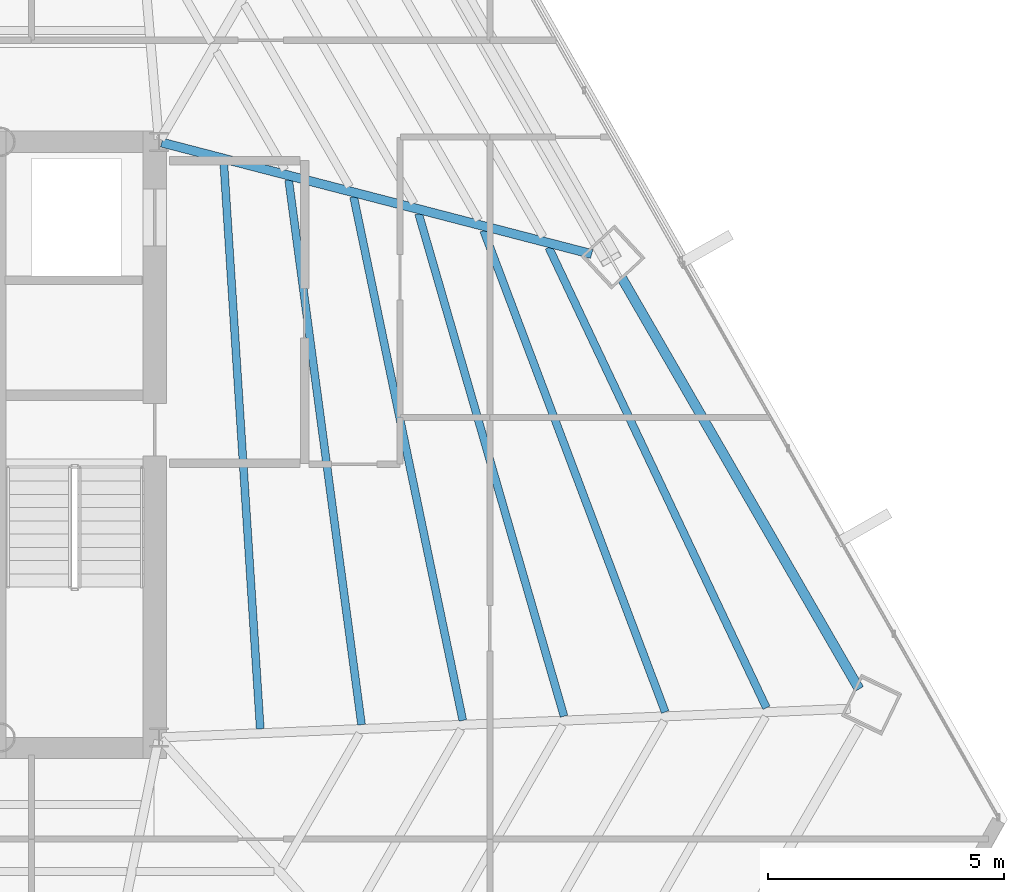
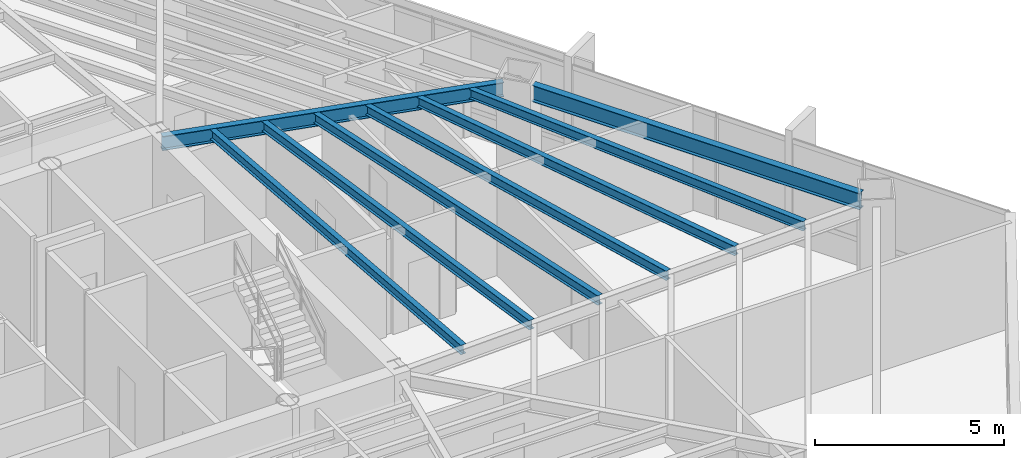
# One storey, part 22 of 38: 8 beams.
"""IFC4 building model written with IfcOpenShell, lengths in metres."""

from ifc_helpers import new_model, si_unit, direction, frame, origin, origin_2d, place, context, subcontext, project, spatial, i_section, extrude, source, transform, mapped, material, material_profile, profile_set, type_object, type_shapes, element, save


model = new_model("IFC4")

# Units and contexts
model_context = context("Model", 3, precision=1e-05, world=origin(), true_north=direction((0.0, 1.0)))
body_context = subcontext(model_context, "Body", "Model", "MODEL_VIEW")
ifc_project = project(units=[si_unit("LENGTHUNIT", "METRE"), si_unit("AREAUNIT", "SQUARE_METRE"), si_unit("VOLUMEUNIT", "CUBIC_METRE"), si_unit("PLANEANGLEUNIT", "RADIAN"), si_unit("MASSUNIT", "GRAM", prefix="KILO")], contexts=[model_context])

# Site, building, storey
site_placement = place(None, origin())
site = spatial("IfcSite", under=ifc_project, at=site_placement, CompositionType="ELEMENT")
building_placement = place(site_placement, origin())
building = spatial("IfcBuilding", under=site, at=building_placement, Name="Caelisora Broadcast Tower", CompositionType="ELEMENT")
storey_placement = place(building_placement, frame((0.0, 0.0, 158.5)))
storey = spatial("IfcBuildingStorey", under=building, at=storey_placement, Name="L41", CompositionType="ELEMENT", Elevation=158.5)

# Beams
ifc_material = material(Name="Steel Grade 350 (AS/NZS 3679.1)", Category="steel")
ifc_material_profile_1 = material_profile(ifc_material, i_section(OverallWidth=0.208984375, OverallDepth=0.532958984375, WebThickness=0.01025390625, FlangeThickness=0.015625, at=origin_2d()), Name="Steel Grade 350 (AS/NZS 3679.1)")
ifc_profile_set_1 = profile_set([ifc_material_profile_1], Name="Steel Grade 350 (AS/NZS 3679.1)")
beam_type_1 = type_object("IfcBeamType", Name="PG05", PredefinedType="BEAM", material=ifc_profile_set_1)
shared_shape_1 = source(origin(), body_context, "Body", "SweptSolid", [
    extrude(i_section(OverallWidth=0.208984375, OverallDepth=0.532958984375, WebThickness=0.01025390625, FlangeThickness=0.015625, at=origin_2d()), origin(), (0.0, 0.0, 1.0), 10.04296875),
])
type_shapes(beam_type_1, [shared_shape_1])
beam_1_placement = place(storey_placement, frame((60.31201171875, 18.424560546875, 3.133544921875), z_axis=(-0.500026874357, 0.866009887311, 0.0), x_axis=(-0.866009887311, -0.500026874357, 0.0)))
element("IfcBeam", 1, at=beam_1_placement, inside=storey, type_object=beam_type_1, Name="L41 beam PG05", PredefinedType="BEAM", context=body_context, shape_type="MappedRepresentation", body=[
    mapped(shared_shape_1, transform((0.0, 0.0, 0.0), scale=1.0)),
])
ifc_material_profile_2 = material_profile(ifc_material, i_section(OverallWidth=0.19091796875, OverallDepth=0.46044921875, WebThickness=0.010009765625, FlangeThickness=0.01611328125, at=origin_2d()), Name="Steel Grade 350 (AS/NZS 3679.1)")
ifc_profile_set_2 = profile_set([ifc_material_profile_2], Name="Steel Grade 350 (AS/NZS 3679.1)")
beam_type_2 = type_object("IfcBeamType", Name="PG06", PredefinedType="BEAM", material=ifc_profile_set_2)
shared_shape_2 = source(origin(), body_context, "Body", "SweptSolid", [
    extrude(i_section(OverallWidth=0.19091796875, OverallDepth=0.46044921875, WebThickness=0.010009765625, FlangeThickness=0.01611328125, at=origin_2d()), origin(), (0.0, 0.0, 1.0), 9.396728515625),
])
type_shapes(beam_type_2, [shared_shape_2])
beam_2_placement = place(storey_placement, frame((45.55810546875, 29.98486328125, 3.169921875), z_axis=(0.967971412483, -0.251060440166, 0.0), x_axis=(0.251060440166, 0.967971412483, 0.0)))
element("IfcBeam", 2, at=beam_2_placement, inside=storey, type_object=beam_type_2, Name="L41 beam PG06", PredefinedType="BEAM", context=body_context, shape_type="MappedRepresentation", body=[
    mapped(shared_shape_2, transform((0.0, 0.0, 0.0), scale=1.0)),
])
ifc_material_profile_3 = material_profile(ifc_material, i_section(OverallWidth=0.166015625, OverallDepth=0.30712890625, WebThickness=0.006591796875, FlangeThickness=0.01171875, at=origin_2d()), Name="Steel Grade 350 (AS/NZS 3679.1)")
ifc_profile_set_3 = profile_set([ifc_material_profile_3], Name="Steel Grade 350 (AS/NZS 3679.1)")
beam_type_3 = type_object("IfcBeamType", Name="SB03", PredefinedType="JOIST", material=ifc_profile_set_3)
shared_shape_3 = source(origin(), body_context, "Body", "SweptSolid", [
    extrude(i_section(OverallWidth=0.166015625, OverallDepth=0.30712890625, WebThickness=0.006591796875, FlangeThickness=0.01171875, at=origin_2d()), origin(), (0.0, 0.0, 1.0), 11.99169921875),
])
beam_3_placement = place(storey_placement, frame((47.642822265625, 17.581787109375, 3.246337890625), z_axis=(-0.064274362694, 0.997932265387, 0.0), x_axis=(-0.997932265387, -0.064274362694, 0.0)))
element("IfcBeam", 3, at=beam_3_placement, inside=storey, type_object=beam_type_3, Name="L41 beam SB03", PredefinedType="JOIST", context=body_context, shape_type="MappedRepresentation", body=[
    mapped(shared_shape_3, transform((0.0, 0.0, 0.0), scale=1.0)),
])
shared_shape_4 = source(origin(), body_context, "Body", "SweptSolid", [
    extrude(i_section(OverallWidth=0.166015625, OverallDepth=0.30712890625, WebThickness=0.006591796875, FlangeThickness=0.01171875, at=origin_2d()), origin(), (0.0, 0.0, 1.0), 11.6240234375),
])
beam_4_placement = place(storey_placement, frame((49.785400390625, 17.6708984375, 3.246337890625), z_axis=(-0.132529660569, 0.991179039866, 0.0), x_axis=(-0.991179039866, -0.132529660569, 0.0)))
element("IfcBeam", 4, at=beam_4_placement, inside=storey, type_object=beam_type_3, Name="L41 beam SB03", PredefinedType="JOIST", context=body_context, shape_type="MappedRepresentation", body=[
    mapped(shared_shape_4, transform((0.0, 0.0, 0.0), scale=1.0)),
])
shared_shape_5 = source(origin(), body_context, "Body", "SweptSolid", [
    extrude(i_section(OverallWidth=0.166015625, OverallDepth=0.30712890625, WebThickness=0.006591796875, FlangeThickness=0.01171875, at=origin_2d()), origin(), (0.0, 0.0, 1.0), 11.313720703125),
])
beam_5_placement = place(storey_placement, frame((51.927490234375, 17.76025390625, 3.246337890625), z_axis=(-0.204093851067, 0.978951326654, 0.0), x_axis=(-0.978951326654, -0.204093851067, 0.0)))
element("IfcBeam", 5, at=beam_5_placement, inside=storey, type_object=beam_type_3, Name="L41 beam SB03", PredefinedType="JOIST", context=body_context, shape_type="MappedRepresentation", body=[
    mapped(shared_shape_5, transform((0.0, 0.0, 0.0), scale=1.0)),
])
shared_shape_6 = source(origin(), body_context, "Body", "SweptSolid", [
    extrude(i_section(OverallWidth=0.166015625, OverallDepth=0.30712890625, WebThickness=0.006591796875, FlangeThickness=0.01171875, at=origin_2d()), origin(), (0.0, 0.0, 1.0), 11.06591796875),
])
beam_6_placement = place(storey_placement, frame((54.06884765625, 17.849365234375, 3.246337890625), z_axis=(-0.277942363124, 0.96059775285, 0.0), x_axis=(-0.96059775285, -0.277942363124, 0.0)))
element("IfcBeam", 6, at=beam_6_placement, inside=storey, type_object=beam_type_3, Name="L41 beam SB03", PredefinedType="JOIST", context=body_context, shape_type="MappedRepresentation", body=[
    mapped(shared_shape_6, transform((0.0, 0.0, 0.0), scale=1.0)),
])
shared_shape_7 = source(origin(), body_context, "Body", "SweptSolid", [
    extrude(i_section(OverallWidth=0.166015625, OverallDepth=0.30712890625, WebThickness=0.006591796875, FlangeThickness=0.01171875, at=origin_2d()), origin(), (0.0, 0.0, 1.0), 10.884033203125),
])
beam_7_placement = place(storey_placement, frame((56.209716796875, 17.9384765625, 3.246337890625), z_axis=(-0.352865709297, 0.935673976982, 0.0), x_axis=(-0.935673976982, -0.352865709297, 0.0)))
element("IfcBeam", 7, at=beam_7_placement, inside=storey, type_object=beam_type_3, Name="L41 beam SB03", PredefinedType="JOIST", context=body_context, shape_type="MappedRepresentation", body=[
    mapped(shared_shape_7, transform((0.0, 0.0, 0.0), scale=1.0)),
])
shared_shape_8 = source(origin(), body_context, "Body", "SweptSolid", [
    extrude(i_section(OverallWidth=0.166015625, OverallDepth=0.30712890625, WebThickness=0.006591796875, FlangeThickness=0.01171875, at=origin_2d()), origin(), (0.0, 0.0, 1.0), 10.770751953125),
])
type_shapes(beam_type_3, [shared_shape_3, shared_shape_4, shared_shape_5, shared_shape_6, shared_shape_7, shared_shape_8])
beam_8_placement = place(storey_placement, frame((58.35009765625, 18.027587890625, 3.246337890625), z_axis=(-0.427411954529, 0.904056978915, 0.0), x_axis=(-0.904056978915, -0.427411954529, 0.0)))
element("IfcBeam", 8, at=beam_8_placement, inside=storey, type_object=beam_type_3, Name="L41 beam SB03", PredefinedType="JOIST", context=body_context, shape_type="MappedRepresentation", body=[
    mapped(shared_shape_8, transform((0.0, 0.0, 0.0), scale=1.0)),
])

save(model, "model.ifc")
